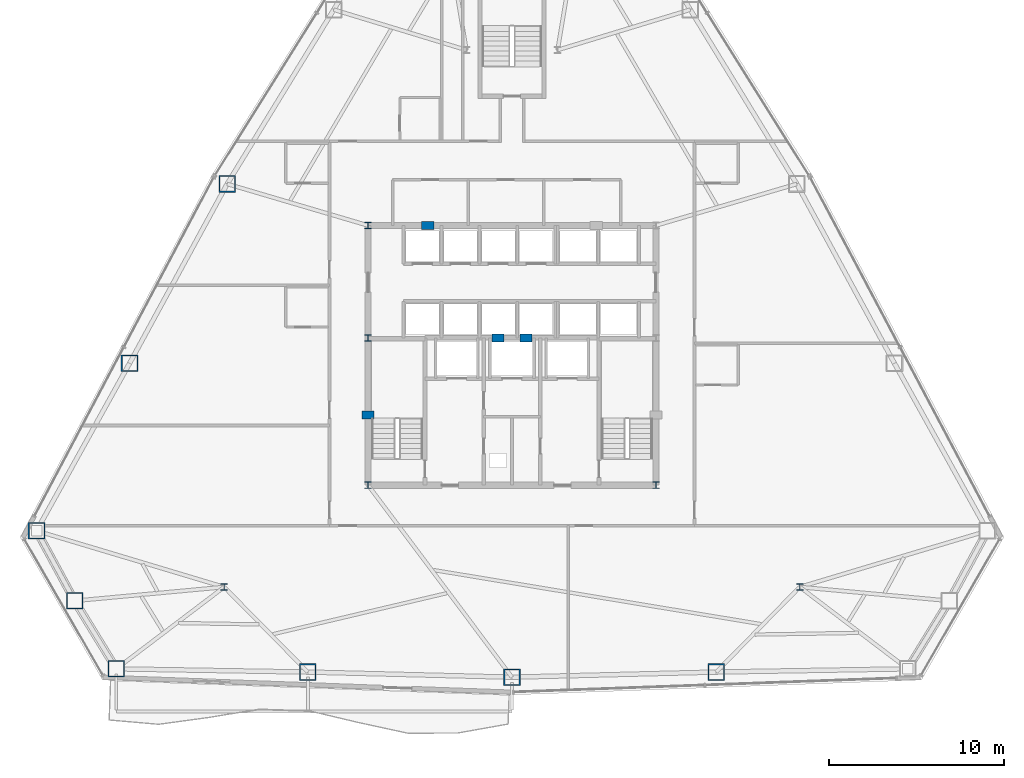
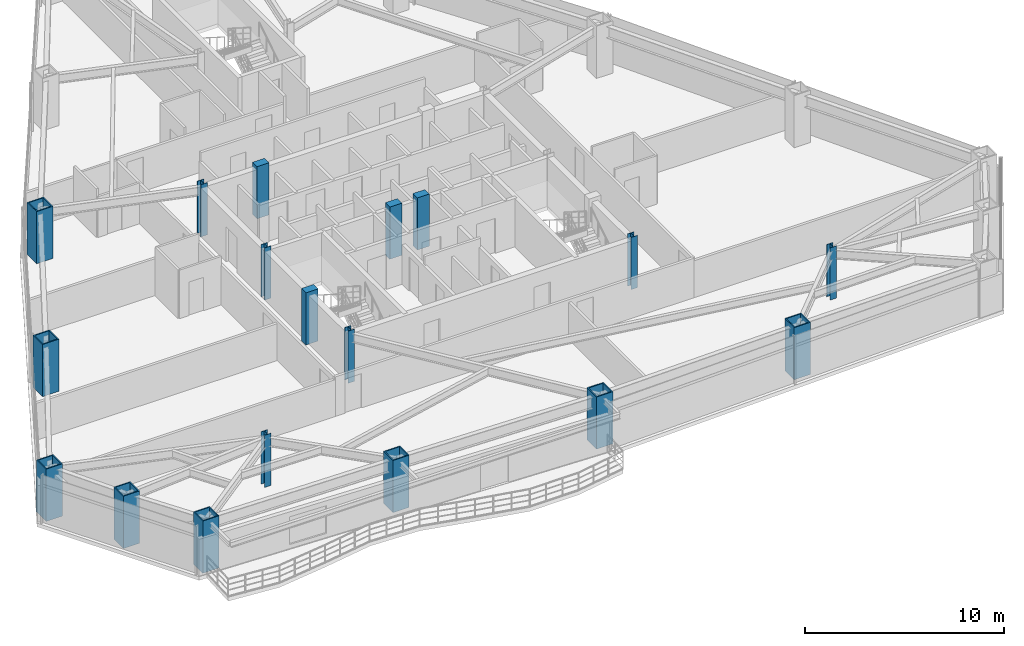
# One storey, part 1 of 13: 18 columns.
"""IFC4 building model written with IfcOpenShell, lengths in metres."""

from ifc_helpers import new_model, si_unit, direction, frame, origin, origin_2d, place, context, subcontext, project, spatial, rectangle, hollow_rectangle, i_section, extrude, material, material_profile, profile_set, type_object, element, save


model = new_model("IFC4")

# Units and contexts
model_context = context("Model", 3, precision=1e-05, world=origin(), true_north=direction((0.0, 1.0)))
body_context = subcontext(model_context, "Body", "Model", "MODEL_VIEW")
ifc_project = project(units=[si_unit("LENGTHUNIT", "METRE"), si_unit("AREAUNIT", "SQUARE_METRE"), si_unit("VOLUMEUNIT", "CUBIC_METRE"), si_unit("PLANEANGLEUNIT", "RADIAN"), si_unit("MASSUNIT", "GRAM", prefix="KILO")], contexts=[model_context])

# Site, building, storey
site_placement = place(None, origin())
site = spatial("IfcSite", under=ifc_project, at=site_placement, CompositionType="ELEMENT")
building_placement = place(site_placement, origin())
building = spatial("IfcBuilding", under=site, at=building_placement, Name="Varakhsha Concourse Tower", CompositionType="ELEMENT")
storey_placement = place(building_placement, frame((0.0, 0.0, 95.800048828125)))
storey = spatial("IfcBuildingStorey", under=building, at=storey_placement, Name="L27", CompositionType="ELEMENT", Elevation=95.800048828125)

# Columns
ifc_material_1 = material(Name="Structural Steel ASTM A992 Grade 50", Category="steel")
ifc_material_profile_1 = material_profile(ifc_material_1, i_section(OverallWidth=0.3740234375, OverallDepth=0.3720703125, WebThickness=0.01611328125, FlangeThickness=0.02587890625, at=origin_2d()), Name="W14X132")
ifc_profile_set_1 = profile_set([ifc_material_profile_1], Name="Structural Steel ASTM A992 Grade 50")
column_type_1 = type_object("IfcColumnType", Name="CL-CORE-W14X132", PredefinedType="COLUMN", material=ifc_profile_set_1)
for number, where, z_axis, x_axis, name in (
    (1, (31.800048828125, 16.39990234375, 0.0), (0.0, 0.0, 1.0), (1.0, 0.0, 0.0), "L27 Core Column CC-SW"),
    (2, (48.199951171875, 16.39990234375, 0.0), (0.0, 0.0, 1.0), (1.0, 0.0, 0.0), "L27 Core Column CC-SE"),
    (3, (31.800048828125, 24.800048828125, 0.0), (0.0, 0.0, 1.0), (1.0, 0.0, 0.0), "L27 Core Column CC-MW"),
    (4, (31.800048828125, 31.199951171875, 0.0), (0.0, 0.0, 1.0), (1.0, 0.0, 0.0), "L27 Core Column CC-NW"),
    (5, (23.60009765625, 10.60009765625, 0.0), (0.0, 0.0, 1.0), (1.0, 0.0, 0.0), "L27 Core Column SS-W"),
    (6, (56.39990234375, 10.60009765625, 0.0), (0.0, 0.0, 1.0), (1.0, 0.0, 0.0), "L27 Core Column SS-E"),
):
    element("IfcColumn", number, at=place(storey_placement, frame(where, z_axis=z_axis, x_axis=x_axis)), inside=storey, type_object=column_type_1, Name=name, PredefinedType="COLUMN", context=body_context, shape_type="SweptSolid", body=[
        extrude(i_section(OverallWidth=0.3740234375, OverallDepth=0.3720703125, WebThickness=0.01611328125, FlangeThickness=0.02587890625, at=origin_2d()), origin(), (0.0, 0.0, 1.0), 3.199951171875),
    ])
ifc_material_2 = material(Name="Concrete fc 65 MPa", Category="concrete")
ifc_material_profile_2 = material_profile(ifc_material_2, rectangle(XDim=0.699951171875, YDim=0.449951171875, at=origin_2d()), Name="RC 700x450")
ifc_profile_set_2 = profile_set([ifc_material_profile_2], Name="Concrete fc 65 MPa")
column_type_2 = type_object("IfcColumnType", Name="CL-PIL-700X450", PredefinedType="PILASTER", material=ifc_profile_set_2)
for number, where, z_axis, x_axis, name in (
    (7, (31.800048828125, 20.39990234375, 0.0), (0.0, 0.0, 1.0), (1.0, 0.0, 0.0), "L27 Core Boundary Pilaster PIL-W1"),
    (8, (35.199951171875, 31.199951171875, 0.0), (0.0, 0.0, 1.0), (1.0, 0.0, 0.0), "L27 Core Boundary Pilaster PIL-N1"),
    (9, (39.199951171875, 24.800048828125, 0.0), (0.0, 0.0, 1.0), (1.0, 0.0, 0.0), "L27 Core Boundary Pilaster PIL-M1"),
    (10, (40.800048828125, 24.800048828125, 0.0), (0.0, 0.0, 1.0), (1.0, 0.0, 0.0), "L27 Core Boundary Pilaster PIL-M2"),
):
    element("IfcColumn", number, at=place(storey_placement, frame(where, z_axis=z_axis, x_axis=x_axis)), inside=storey, type_object=column_type_2, Name=name, PredefinedType="PILASTER", context=body_context, shape_type="SweptSolid", body=[
        extrude(rectangle(XDim=0.699951171875, YDim=0.449951171875, at=origin_2d()), origin(), (0.0, 0.0, 1.0), 3.199951171875),
    ])
ifc_material_3 = material(Name="Structural Steel ASTM A572 Grade 50", Category="steel")
ifc_material_profile_3 = material_profile(ifc_material_3, hollow_rectangle(XDim=0.949951171875, YDim=0.949951171875, WallThickness=0.06494140625, at=origin_2d()), Name="BOX 950x950x65")
ifc_profile_set_3 = profile_set([ifc_material_profile_3], Name="Structural Steel ASTM A572 Grade 50")
column_type_3 = type_object("IfcColumnType", Name="CL-TUBE-950", PredefinedType="COLUMN", material=ifc_profile_set_3)
for number, where, z_axis, x_axis, name in (
    (11, (23.77197265625, 33.569091796875, 0.0), (0.0, 0.0, 1.0), (1.0, 0.0, 0.0), "L27 Framed-Tube Column TC05"),
    (12, (18.20751953125, 23.345947265625, 0.0), (0.0, 0.0, 1.0), (1.0, 0.0, 0.0), "L27 Framed-Tube Column TC06"),
    (13, (12.908935546875, 13.80322265625, 0.0), (0.0, 0.0, 1.0), (1.0, 0.0, 0.0), "L27 Framed-Tube Column TC07"),
    (14, (15.076416015625, 9.810302734375, 0.0), (0.0, 0.0, 1.0), (1.0, 0.0, 0.0), "L27 Framed-Tube Column TC08"),
    (15, (17.45068359375, 5.93701171875, 0.0), (0.0, 0.0, 1.0), (1.0, 0.0, 0.0), "L27 Framed-Tube Column TC09"),
    (16, (28.3642578125, 5.754150390625, 0.0), (0.0, 0.0, 1.0), (1.0, 0.0, 0.0), "L27 Framed-Tube Column TC10"),
    (17, (40.0, 5.46142578125, 0.0), (0.0, 0.0, 1.0), (1.0, 0.0, 0.0), "L27 Framed-Tube Column TC11"),
    (18, (51.6357421875, 5.754150390625, 0.0), (0.0, 0.0, 1.0), (1.0, 0.0, 0.0), "L27 Framed-Tube Column TC12"),
):
    element("IfcColumn", number, at=place(storey_placement, frame(where, z_axis=z_axis, x_axis=x_axis)), inside=storey, type_object=column_type_3, Name=name, PredefinedType="COLUMN", context=body_context, shape_type="SweptSolid", body=[
        extrude(hollow_rectangle(XDim=0.949951171875, YDim=0.949951171875, WallThickness=0.06494140625, at=origin_2d()), origin(), (0.0, 0.0, 1.0), 3.199951171875),
    ])

save(model, "model.ifc")
